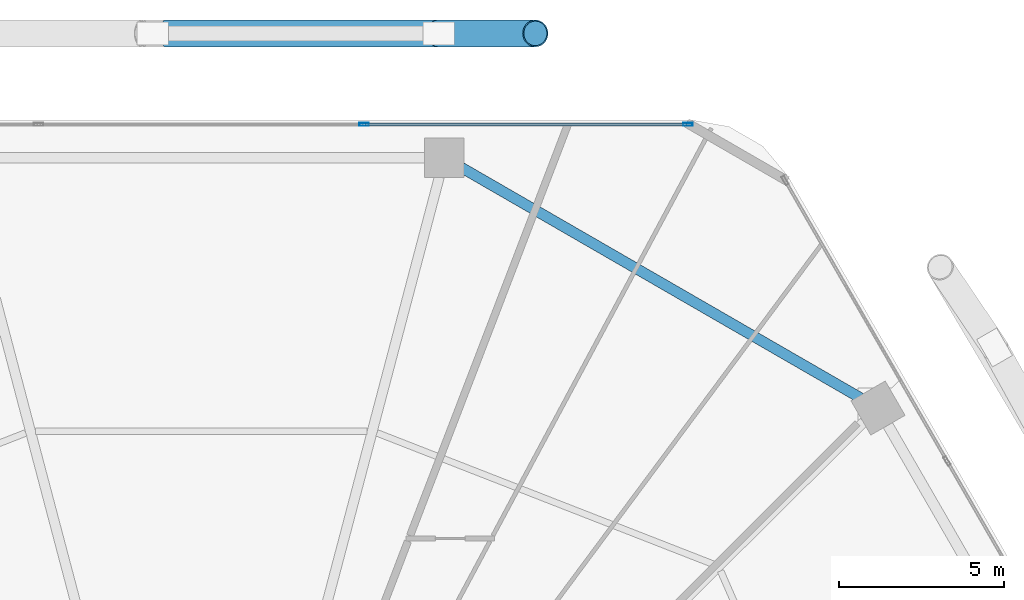
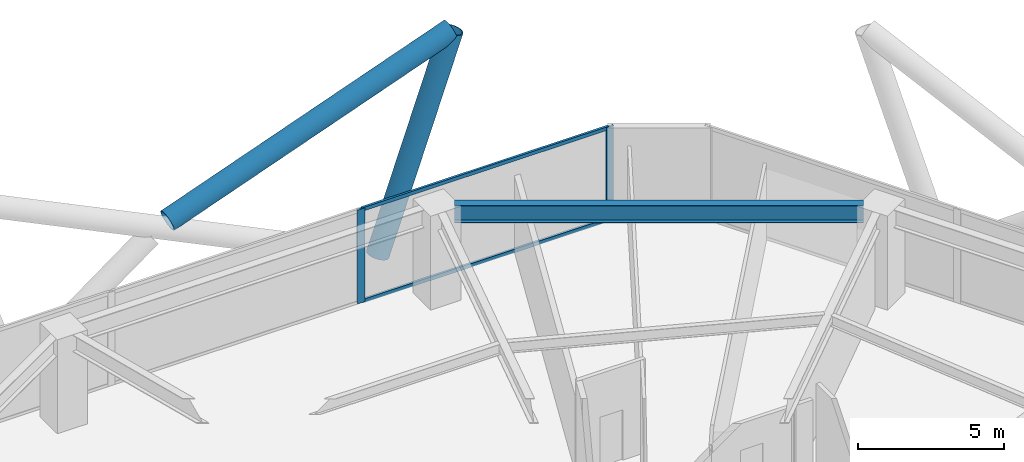
# One storey, part 21 of 28: 6 members, 1 beam, 1 element without a shape of its own.
"""IFC4 building model written with IfcOpenShell, lengths in metres."""

import ifcopenshell
import ifcopenshell.guid

model = None  # the IFC model being written
_history = None  # IfcOwnerHistory: only IFC2X3 demands one
_inside = {}  # id of a spatial element -> (the spatial element, [elements in it])
_under = {}  # id of a project, library or spatial element -> (it, [spatial elements below it])
_declared = {}  # id of a project -> (the project, [libraries it declares])
_typed = {}  # id of a type object -> (the type object, [elements of that type])
_made_of = {}  # id of a material, layer set ... -> (it, [elements and type objects made of it])


def new_model(schema):
    """Start an empty IFC model of exactly this schema.

    Asked for "IFC4X3", IfcOpenShell would pick the latest addendum, in which some entities
    have other attributes; the version numbers below select the first issue.
    IFC2X3 requires an IfcOwnerHistory on every rooted entity: one is made here for all.
    """
    global model, _history
    if schema == "IFC4X3":
        model = ifcopenshell.file(schema_version=(4, 3, 0, 0))
    else:
        model = ifcopenshell.file(schema=schema)
    _inside.clear()
    _under.clear()
    _declared.clear()
    _typed.clear()
    _made_of.clear()
    _history = None
    if model.schema == "IFC2X3":
        org = make("IfcOrganization", Name="unknown")
        user = make(
            "IfcPersonAndOrganization",
            ThePerson=make("IfcPerson", FamilyName="unknown"),
            TheOrganization=org,
        )
        app = make(
            "IfcApplication",
            ApplicationDeveloper=org,
            Version="unknown",
            ApplicationFullName="unknown",
            ApplicationIdentifier="unknown",
        )
        _history = make(
            "IfcOwnerHistory",
            OwningUser=user,
            OwningApplication=app,
            ChangeAction="ADDED",
            CreationDate=0,
        )
    return model


def make(cls, **values):
    """One entity of the class cls with the attributes given. An attribute that is None is left unset."""
    return model.create_entity(
        cls, **{name: value for name, value in values.items() if value is not None}
    )


def rooted(cls, **values):
    """An entity with a GlobalId (a new one), such as an element, a storey or a relation."""
    return make(cls, GlobalId=ifcopenshell.guid.new(), OwnerHistory=_history, **values)


def si_unit(unit_type, name, prefix=None):
    """IfcSIUnit, for example si_unit("LENGTHUNIT", "METRE", prefix="MILLI")."""
    return make("IfcSIUnit", UnitType=unit_type, Prefix=prefix, Name=name)


def assignment(units):
    """IfcUnitAssignment: the units of a project."""
    return None if units is None else make("IfcUnitAssignment", Units=units)


def point(xyz):
    """IfcCartesianPoint."""
    return None if xyz is None else make("IfcCartesianPoint", Coordinates=xyz)


def direction(xyz):
    """IfcDirection."""
    return None if xyz is None else make("IfcDirection", DirectionRatios=xyz)


def frame(location, z_axis=None, x_axis=None):
    """IfcAxis2Placement3D, a coordinate frame: its origin and axes. An axis left out is left unset."""
    return make(
        "IfcAxis2Placement3D",
        Location=point(location),
        Axis=direction(z_axis),
        RefDirection=direction(x_axis),
    )


def frame_2d(location, x_axis=None):
    """IfcAxis2Placement2D, a coordinate frame in the plane: its origin and x axis."""
    return make(
        "IfcAxis2Placement2D", Location=point(location), RefDirection=direction(x_axis)
    )


def origin():
    """The frame at (0, 0, 0) with its axes left unset."""
    return frame((0.0, 0.0, 0.0))


def origin_2d():
    """The frame at (0, 0) in the plane with its x axis left unset."""
    return frame_2d((0.0, 0.0))


def place(relative_to, where):
    """IfcLocalPlacement: puts the frame where relative to a parent placement (None: the world)."""
    return make(
        "IfcLocalPlacement", PlacementRelTo=relative_to, RelativePlacement=where
    )


def context(
    kind, dimensions, precision=None, world=None, true_north=None, identifier=None
):
    """IfcGeometricRepresentationContext, for example the 3D "Model" context."""
    return make(
        "IfcGeometricRepresentationContext",
        ContextIdentifier=identifier,
        ContextType=kind,
        CoordinateSpaceDimension=dimensions,
        Precision=precision,
        WorldCoordinateSystem=world,
        TrueNorth=true_north,
    )


def subcontext(parent, identifier, kind, view, scale=None):
    """IfcGeometricRepresentationSubContext, for example "Body" below "Model"."""
    return make(
        "IfcGeometricRepresentationSubContext",
        ContextIdentifier=identifier,
        ContextType=kind,
        ParentContext=parent,
        TargetScale=scale,
        TargetView=view,
    )


def project(units=None, contexts=None):
    """IfcProject with its units and contexts."""
    return rooted(
        "IfcProject",
        Name="project",
        RepresentationContexts=contexts,
        UnitsInContext=assignment(units),
    )


def spatial(cls, under=None, at=None, **own):
    """A site, building, storey or space (cls), placed at a placement, below another one or the project."""
    s = rooted(cls, ObjectPlacement=at, **own)
    if under is not None:
        _under.setdefault(under.id(), (under, []))[1].append(s)
    return s


def profile(cls, at=None, kind="AREA", **sizes):
    """A parametric profile (cls). Its sizes go by their IFC names, for example OverallWidth=200.0."""
    return make(cls, ProfileType=kind, Position=at, **sizes)


def hollow_rectangle(**sizes):
    """IfcRectangleHollowProfileDef."""
    return profile("IfcRectangleHollowProfileDef", **sizes)


def hollow_circle(**sizes):
    """IfcCircleHollowProfileDef."""
    return profile("IfcCircleHollowProfileDef", **sizes)


def i_section(**sizes):
    """IfcIShapeProfileDef."""
    return profile("IfcIShapeProfileDef", **sizes)


def extrude(swept, where, along, depth):
    """IfcExtrudedAreaSolid: the profile swept, set in the frame where, extruded along a direction by depth."""
    return make(
        "IfcExtrudedAreaSolid",
        SweptArea=swept,
        Position=where,
        ExtrudedDirection=direction(along),
        Depth=depth,
    )


def shape(context_of_items, identifier, shape_type, items):
    """IfcShapeRepresentation: the items that make up one representation, for example the "Body"."""
    return make(
        "IfcShapeRepresentation",
        ContextOfItems=context_of_items,
        RepresentationIdentifier=identifier,
        RepresentationType=shape_type,
        Items=items,
    )


def material(Name=None, Category=None):
    """IfcMaterial."""
    return make("IfcMaterial", Name=Name, Category=Category)


def material_profile(
    of_material, cross_section, Name=None, Category=None, Priority=None
):
    """IfcMaterialProfile: a cross section and its material."""
    return make(
        "IfcMaterialProfile",
        Name=Name,
        Material=of_material,
        Profile=cross_section,
        Priority=Priority,
        Category=Category,
    )


def profile_set(profiles, Name=None, composite=None):
    """IfcMaterialProfileSet."""
    return make(
        "IfcMaterialProfileSet",
        Name=Name,
        MaterialProfiles=profiles,
        CompositeProfile=composite,
    )


def made_of(thing, what):
    """Note that an element or type object is made of a material, layer set ...; save() writes the relation."""
    if what is not None:
        _made_of.setdefault(what.id(), (what, []))[1].append(thing)
    return thing


def type_object(cls, material=None, **own):
    """A type object (cls), such as IfcWallType, which elements share."""
    return made_of(rooted(cls, **own), material)


def element(
    cls,
    number,
    at=None,
    inside=None,
    cuts=None,
    type_object=None,
    material=None,
    context=None,
    identifier="Body",
    shape_type=None,
    held_by="IfcProductDefinitionShape",
    body=None,
    shapes=None,
    **own,
):
    """One element of the class cls, such as IfcWall. Its Tag is "e" and its number.

    at: its placement. inside: the storey or other place that contains it. cuts: it is an
    opening in that element (IfcRelVoidsElement). A single representation is given by context,
    identifier, shape_type and body (its items); several are given by shapes. held_by: the class
    of the entity that holds the representations. save() writes the other relations.
    """
    e = rooted(cls, Tag="e%d" % number, ObjectPlacement=at, **own)
    if body is not None:
        shapes = [shape(context, identifier, shape_type, body)]
    if shapes is not None:
        e.Representation = make(held_by, Representations=shapes)
    if inside is not None:
        _inside.setdefault(inside.id(), (inside, []))[1].append(e)
    if cuts is not None:
        rooted(
            "IfcRelVoidsElement", RelatingBuildingElement=cuts, RelatedOpeningElement=e
        )
    if type_object is not None:
        _typed.setdefault(type_object.id(), (type_object, []))[1].append(e)
    return made_of(e, material)


def aggregate(whole, parts):
    """IfcRelAggregates: a whole, such as a stair, and the parts it consists of."""
    return rooted("IfcRelAggregates", RelatingObject=whole, RelatedObjects=parts)


def save(model, path):
    """Write the relations noted so far, then the file.

    IfcRelAggregates (storeys below a building ...), IfcRelContainedInSpatialStructure (elements
    in a storey), IfcRelDefinesByType, IfcRelAssociatesMaterial and IfcRelDeclares: one each for
    every whole, place, type object, material and project.
    """
    for whole, parts in _under.values():
        aggregate(whole, parts)
    for where, things in _inside.values():
        rooted(
            "IfcRelContainedInSpatialStructure",
            RelatedElements=things,
            RelatingStructure=where,
        )
    for kind, things in _typed.values():
        rooted("IfcRelDefinesByType", RelatedObjects=things, RelatingType=kind)
    for what, things in _made_of.values():
        rooted("IfcRelAssociatesMaterial", RelatedObjects=things, RelatingMaterial=what)
    for by, libraries in _declared.values():
        rooted("IfcRelDeclares", RelatingContext=by, RelatedDefinitions=libraries)
    model.write(path)


model = new_model("IFC4")

# Units and contexts
model_context = context("Model", 3, precision=1e-05, world=origin(), true_north=direction((0.0, 1.0)))
body_context = subcontext(model_context, "Body", "Model", "MODEL_VIEW")
ifc_project = project(units=[si_unit("LENGTHUNIT", "METRE"), si_unit("AREAUNIT", "SQUARE_METRE"), si_unit("VOLUMEUNIT", "CUBIC_METRE"), si_unit("PLANEANGLEUNIT", "RADIAN"), si_unit("MASSUNIT", "GRAM", prefix="KILO")], contexts=[model_context])

# Site, building, storey
site_placement = place(None, origin())
site = spatial("IfcSite", under=ifc_project, at=site_placement, CompositionType="ELEMENT")
building_placement = place(site_placement, origin())
building = spatial("IfcBuilding", under=site, at=building_placement, Name="Zuhravey Tower", CompositionType="ELEMENT")
storey_placement = place(building_placement, frame((0.0, 0.0, 66.60009765625)))
storey = spatial("IfcBuildingStorey", under=building, at=storey_placement, Name="L16", CompositionType="ELEMENT", Elevation=66.60009765625)

# Curtain wall, members
ifc_material_1 = material(Name="Thermally broken anodised aluminium", Category="aluminium")
curtain_wall_type = type_object("IfcCurtainWallType", Name="School Low-E Unitised Curtain Wall CW1", PredefinedType="NOTDEFINED", material=ifc_material_1)
curtain_wall_placement = place(storey_placement, origin())
curtain_wall = element("IfcCurtainWall", 1, at=curtain_wall_placement, inside=storey, type_object=curtain_wall_type, Name="L16 CW1 CW-L16-F2-1", PredefinedType="NOTDEFINED")
ifc_material_2 = material(Name="Anodised aluminium", Category="aluminium")
ifc_material_profile_1 = material_profile(ifc_material_2, hollow_rectangle(XDim=0.090087890625, YDim=0.284912109375, WallThickness=0.0048828125, at=origin_2d()), Name="ALU-RHS-90x285x5")
ifc_profile_set_1 = profile_set([ifc_material_profile_1], Name="Anodised aluminium")
member_type_1 = type_object("IfcMemberType", Name="Curtain-Wall Mullion 90x180", PredefinedType="MULLION", material=ifc_profile_set_1)
member_1_placement = place(storey_placement, frame((40.93310546875, 60.95849609375, 0.0), z_axis=(0.0, 0.0, 1.0), x_axis=(0.0, 1.0, 0.0)))
member_1 = element("IfcMember", 2, at=member_1_placement, type_object=member_type_1, Name="CW1 mullion 3", PredefinedType="MULLION", context=body_context, shape_type="SweptSolid", body=[
    extrude(hollow_rectangle(XDim=0.090087890625, YDim=0.284912109375, WallThickness=0.0048828125, at=origin_2d()), origin(), (0.0, 0.0, 1.0), 3.919921875),
])
member_2_placement = place(storey_placement, frame((50.75439453125, 60.95849609375, 0.0), z_axis=(0.0, 0.0, 1.0), x_axis=(0.0, 1.0, 0.0)))
member_2 = element("IfcMember", 3, at=member_2_placement, type_object=member_type_1, Name="CW1 mullion 4", PredefinedType="MULLION", context=body_context, shape_type="SweptSolid", body=[
    extrude(hollow_rectangle(XDim=0.090087890625, YDim=0.284912109375, WallThickness=0.0048828125, at=origin_2d()), origin(), (0.0, 0.0, 1.0), 3.919921875),
])
ifc_material_profile_2 = material_profile(ifc_material_2, hollow_rectangle(XDim=0.090087890625, YDim=0.14990234375, WallThickness=0.0048828125, at=origin_2d()), Name="ALU-RHS-90x150x5")
ifc_profile_set_2 = profile_set([ifc_material_profile_2], Name="Anodised aluminium")
member_type_2 = type_object("IfcMemberType", Name="Curtain-Wall Transom 90x150", PredefinedType="USERDEFINED", material=ifc_profile_set_2)
member_3_placement = place(storey_placement, frame((40.978271484375, 60.95849609375, 0.044921875), z_axis=(1.0, 0.0, 0.0), x_axis=(0.0, 1.0, 0.0)))
member_3 = element("IfcMember", 4, at=member_3_placement, type_object=member_type_2, Name="CW1 transom 3.1", ObjectType="TRANSOM", PredefinedType="USERDEFINED", context=body_context, shape_type="SweptSolid", body=[
    extrude(hollow_rectangle(XDim=0.090087890625, YDim=0.14990234375, WallThickness=0.0048828125, at=origin_2d()), origin(), (0.0, 0.0, 1.0), 9.731201171875),
])
member_4_placement = place(storey_placement, frame((40.978271484375, 60.95849609375, 3.875), z_axis=(1.0, 0.0, 0.0), x_axis=(0.0, 1.0, 0.0)))
member_4 = element("IfcMember", 5, at=member_4_placement, type_object=member_type_2, Name="CW1 transom 3.2", ObjectType="TRANSOM", PredefinedType="USERDEFINED", context=body_context, shape_type="SweptSolid", body=[
    extrude(hollow_rectangle(XDim=0.090087890625, YDim=0.14990234375, WallThickness=0.0048828125, at=origin_2d()), origin(), (0.0, 0.0, 1.0), 9.731201171875),
])
aggregate(curtain_wall, [member_1, member_2, member_3, member_4])

# Members
ifc_material_3 = material(Name="Steel SM460", Category="steel")
ifc_material_profile_3 = material_profile(ifc_material_3, hollow_circle(Radius=0.406494140625, WallThickness=0.035888671875, at=origin_2d()), Name="CHS-812.8x36")
ifc_profile_set_3 = profile_set([ifc_material_profile_3], Name="Steel SM460")
member_type_3 = type_object("IfcMemberType", Name="Exoskeleton Zone 1 Diagrid CHS813x36", PredefinedType="BRACE", material=ifc_profile_set_3)
member_5_placement = place(storey_placement, frame((43.20166015625, 63.718505859375, -0.47216796875), z_axis=(0.330642732694, 0.0, 0.943755997764), x_axis=(0.0, 1.0, 0.0)))
element("IfcMember", 6, at=member_5_placement, inside=storey, type_object=member_type_3, Name="L16 Face 2 Diagrid Brace 1", PredefinedType="BRACE", context=body_context, shape_type="SweptSolid", body=[
    extrude(hollow_circle(Radius=0.406494140625, WallThickness=0.035888671875, at=origin_2d()), origin(), (0.0, 0.0, 1.0), 8.85400390625),
])
member_6_placement = place(storey_placement, frame((34.9013671875, 63.718505859375, 3.8408203125), z_axis=(0.940345778903, 0.0, 0.340220246458), x_axis=(0.0, 1.0, 0.0)))
element("IfcMember", 7, at=member_6_placement, inside=storey, type_object=member_type_3, Name="L16 Face 2 Split Diagrid Brace 3B", PredefinedType="BRACE", context=body_context, shape_type="SweptSolid", body=[
    extrude(hollow_circle(Radius=0.406494140625, WallThickness=0.035888671875, at=origin_2d()), origin(), (0.0, 0.0, 1.0), 11.897705078125),
])

# Beam
ifc_material_4 = material(Name="Steel SM355", Category="steel")
ifc_material_profile_4 = material_profile(ifc_material_4, i_section(OverallWidth=0.320068359375, OverallDepth=0.75, WebThickness=0.013916015625, FlangeThickness=0.02490234375, at=origin_2d()), Name="H-750x320x14x25")
ifc_profile_set_4 = profile_set([ifc_material_profile_4], Name="Steel SM355")
beam_type = type_object("IfcBeamType", Name="Perimeter Ring Beam H750x320", PredefinedType="BEAM", material=ifc_profile_set_4)
beam_placement = place(storey_placement, frame((55.996826171875, 52.658447265625, 3.544921875), z_axis=(-0.866029969761, 0.499992091414, 0.0), x_axis=(-0.499992091414, -0.866029969761, 0.0)))
element("IfcBeam", 8, at=beam_placement, inside=storey, type_object=beam_type, Name="L16 PB1 BM-L16-PB-02", PredefinedType="BEAM", context=body_context, shape_type="SweptSolid", body=[
    extrude(i_section(OverallWidth=0.320068359375, OverallDepth=0.75, WebThickness=0.013916015625, FlangeThickness=0.02490234375, at=origin_2d()), origin(), (0.0, 0.0, 1.0), 13.977294921875),
])

save(model, "model.ifc")
